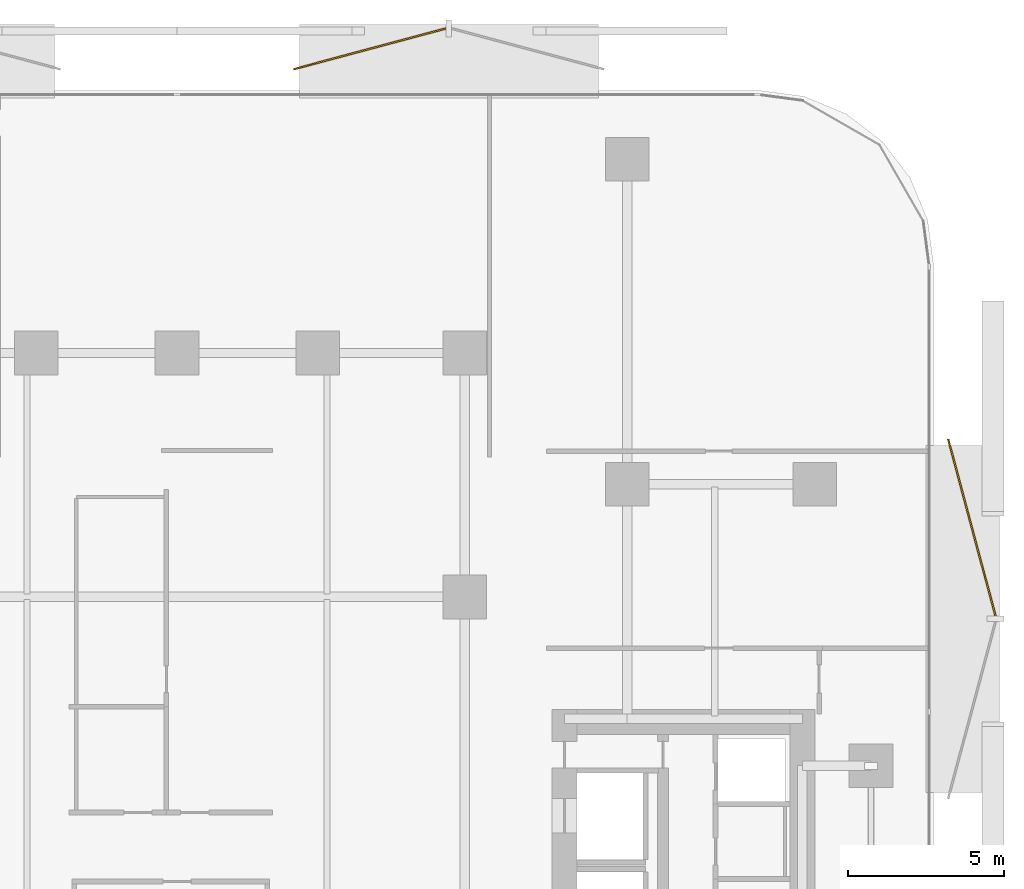
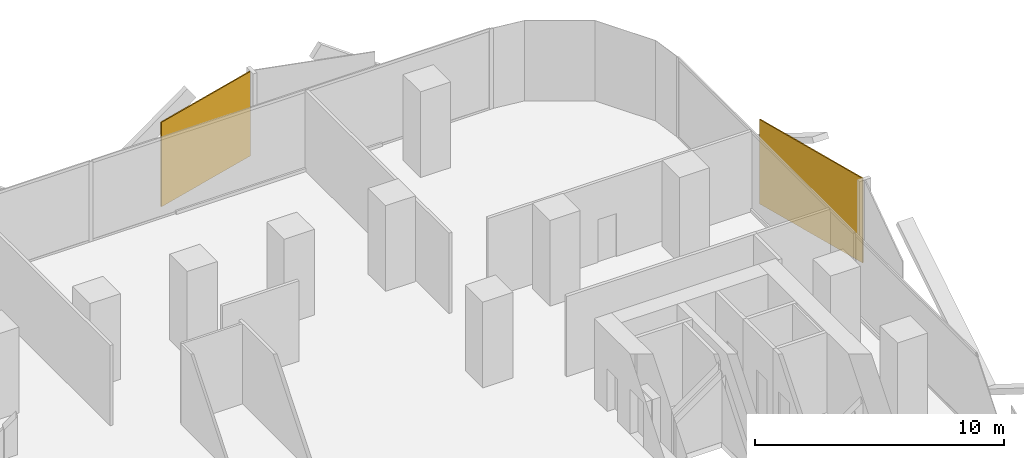
# One storey, part 15 of 15: 2 coverings.
"""IFC4 building model written with IfcOpenShell, lengths in metres."""

from ifc_helpers import new_model, si_unit, direction, frame, origin, origin_2d, place, context, subcontext, project, spatial, rectangle, extrude, material, layer, layer_set, type_object, element, save


model = new_model("IFC4")

# Units and contexts
model_context = context("Model", 3, precision=1e-05, world=origin(), true_north=direction((0.0, 1.0)))
body_context = subcontext(model_context, "Body", "Model", "MODEL_VIEW")
ifc_project = project(units=[si_unit("LENGTHUNIT", "METRE"), si_unit("AREAUNIT", "SQUARE_METRE"), si_unit("VOLUMEUNIT", "CUBIC_METRE"), si_unit("PLANEANGLEUNIT", "RADIAN"), si_unit("MASSUNIT", "GRAM", prefix="KILO")], contexts=[model_context])

# Site, building, storey
site_placement = place(None, origin())
site = spatial("IfcSite", under=ifc_project, at=site_placement, CompositionType="ELEMENT")
building_placement = place(site_placement, origin())
building = spatial("IfcBuilding", under=site, at=building_placement, Name="Khairoan Windgate Tower", CompositionType="ELEMENT")
storey_placement = place(building_placement, frame((0.0, 0.0, 38.60009765625)))
storey = spatial("IfcBuildingStorey", under=building, at=storey_placement, Name="L09", CompositionType="ELEMENT", Elevation=38.60009765625)

# Coverings
ifc_material = material(Name="Anodised Bronze Aluminium 6063-T6", Category="aluminium")
ifc_layer = layer(ifc_material, 0.054931640625, Name="Anodised Bronze Aluminium 6063-T6")
ifc_layer_set = layer_set([ifc_layer], Name="Anodised Bronze Aluminium 6063-T6")
covering_type = type_object("IfcCoveringType", Name="Perforated Bronze-Ceramic Folded Solar Screen Cladding BSC-1", PredefinedType="CLADDING", material=ifc_layer_set)
covering_1_placement = place(storey_placement, frame((6.169921875, 28.327392578125, -0.10009765625), z_axis=(0.0, 0.0, 1.0), x_axis=(0.965925826289, 0.258819045103, 0.0)))
element("IfcCovering", 1, at=covering_1_placement, inside=storey, type_object=covering_type, Name="L09 Folded Bronze Solar Screen Facet 30L", PredefinedType="CLADDING", context=body_context, shape_type="SweptSolid", body=[
    extrude(rectangle(XDim=5.04296875, YDim=0.054931640625, at=origin_2d()), origin(), (0.0, 0.0, 1.0), 4.139892578125),
])
covering_2_placement = place(storey_placement, frame((25.42236328125, 13.01318359375, -0.10009765625), z_axis=(0.0, 0.0, 1.0), x_axis=(0.258819045103, -0.965925826289, 0.0)))
element("IfcCovering", 2, at=covering_2_placement, inside=storey, type_object=covering_type, Name="L09 Folded Bronze Solar Screen Facet 31L", PredefinedType="CLADDING", context=body_context, shape_type="SweptSolid", body=[
    extrude(rectangle(XDim=5.85498046875, YDim=0.054931640625, at=origin_2d()), origin(), (0.0, 0.0, 1.0), 4.139892578125),
])

save(model, "model.ifc")
